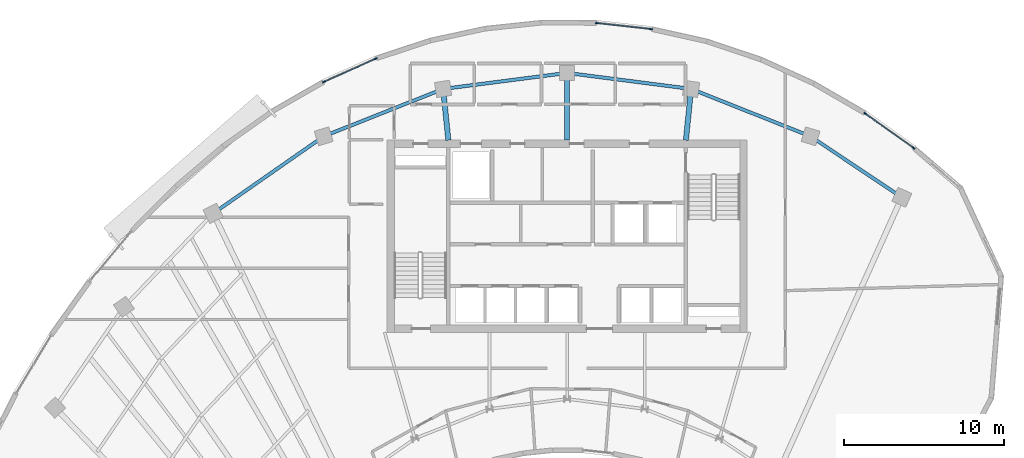
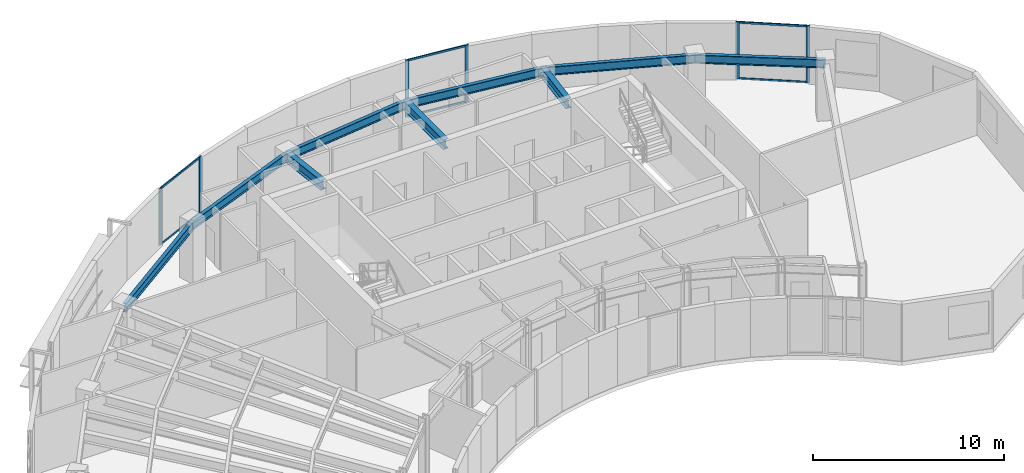
# One storey, part 4 of 12: 12 members, 9 beams, 3 elements without a shape of their own.
"""IFC4 building model written with IfcOpenShell, lengths in metres."""

from ifc_helpers import new_model, si_unit, direction, frame, origin, origin_2d, place, context, subcontext, project, spatial, rectangle, i_section, extrude, source, transform, mapped, material, layer, layer_set, material_profile, profile_set, type_object, element, aggregate, save


model = new_model("IFC4")

# Units and contexts
model_context = context("Model", 3, precision=1e-05, world=origin(), true_north=direction((0.0, 1.0)))
body_context = subcontext(model_context, "Body", "Model", "MODEL_VIEW")
ifc_project = project(units=[si_unit("LENGTHUNIT", "METRE"), si_unit("AREAUNIT", "SQUARE_METRE"), si_unit("VOLUMEUNIT", "CUBIC_METRE"), si_unit("PLANEANGLEUNIT", "RADIAN"), si_unit("MASSUNIT", "GRAM", prefix="KILO")], contexts=[model_context])

# Site, building, storey
site_placement = place(None, origin())
site = spatial("IfcSite", under=ifc_project, at=site_placement, CompositionType="ELEMENT")
building_placement = place(site_placement, origin())
building = spatial("IfcBuilding", under=site, at=building_placement, Name="Breltana Convention Tower", CompositionType="ELEMENT")
storey_placement = place(building_placement, frame((0.0, 0.0, 235.199951171875)))
storey = spatial("IfcBuildingStorey", under=building, at=storey_placement, Name="L57", CompositionType="ELEMENT", Elevation=235.199951171875)

# Beams
ifc_material_1 = material(Name="Steel ASTM A992 Grade 50", Category="steel")
ifc_material_profile_1 = material_profile(ifc_material_1, i_section(OverallWidth=0.326904296875, OverallDepth=0.6220703125, WebThickness=0.015380859375, FlangeThickness=0.0244140625, at=origin_2d()), Name="W24X131")
ifc_profile_set_1 = profile_set([ifc_material_profile_1], Name="Steel ASTM A992 Grade 50")
beam_type_1 = type_object("IfcBeamType", Name="BM-RG-W24X131", PredefinedType="USERDEFINED", material=ifc_profile_set_1)
shared_shape_1 = source(origin(), body_context, "Body", "SweptSolid", [
    extrude(i_section(OverallWidth=0.326904296875, OverallDepth=0.6220703125, WebThickness=0.015380859375, FlangeThickness=0.0244140625, at=origin_2d()), origin(), (0.0, 0.0, 1.0), 3.220947265625),
])
for number, where, z_axis, x_axis, name in (
    (1, (40.580078125, 72.199951171875, 3.339111328125), (-0.101492254858, 0.994836329355, 0.0), (-0.994836329355, -0.101492254858, 0.0), "L57 North Core Radial Girder R05"),
    (2, (55.419921875, 72.199951171875, 3.339111328125), (0.101492254858, 0.994836329355, 0.0), (-0.994836329355, 0.101492254858, 0.0), "L57 North Core Radial Girder R07"),
):
    element("IfcBeam", number, at=place(storey_placement, frame(where, z_axis=z_axis, x_axis=x_axis)), inside=storey, type_object=beam_type_1, Name=name, ObjectType="GIRDER", PredefinedType="USERDEFINED", context=body_context, shape_type="MappedRepresentation", body=[
        mapped(shared_shape_1, transform((0.0, 0.0, 0.0), scale=1.0)),
    ])
shared_shape_2 = source(origin(), body_context, "Body", "SweptSolid", [
    extrude(i_section(OverallWidth=0.326904296875, OverallDepth=0.6220703125, WebThickness=0.015380859375, FlangeThickness=0.0244140625, at=origin_2d()), origin(), (0.0, 0.0, 1.0), 4.2041015625),
])
beam_1_placement = place(storey_placement, frame((48.0, 72.199951171875, 3.339111328125), z_axis=(0.0, 1.0, 0.0), x_axis=(-1.0, 0.0, 0.0)))
element("IfcBeam", 3, at=beam_1_placement, inside=storey, type_object=beam_type_1, Name="L57 North Core Radial Girder R06", ObjectType="GIRDER", PredefinedType="USERDEFINED", context=body_context, shape_type="MappedRepresentation", body=[
    mapped(shared_shape_2, transform((0.0, 0.0, 0.0), scale=1.0)),
])
ifc_material_profile_2 = material_profile(ifc_material_1, i_section(OverallWidth=0.214111328125, OverallDepth=0.549072265625, WebThickness=0.0146484375, FlangeThickness=0.023681640625, at=origin_2d()), Name="W21X93")
ifc_profile_set_2 = profile_set([ifc_material_profile_2], Name="Steel ASTM A992 Grade 50")
beam_type_2 = type_object("IfcBeamType", Name="BM-SP-W21X93", PredefinedType="SPANDREL", material=ifc_profile_set_2)
shared_shape_3 = source(origin(), body_context, "Body", "SweptSolid", [
    extrude(i_section(OverallWidth=0.214111328125, OverallDepth=0.549072265625, WebThickness=0.0146484375, FlangeThickness=0.023681640625, at=origin_2d()), origin(), (0.0, 0.0, 1.0), 8.4169921875),
])
beam_2_placement = place(storey_placement, frame((25.8876953125, 67.626953125, 3.37548828125), z_axis=(0.820173800102, 0.572114444519, 0.0), x_axis=(-0.572114444519, 0.820173800102, 0.0)))
element("IfcBeam", 4, at=beam_2_placement, inside=storey, type_object=beam_type_2, Name="L57 Outer Spandrel Beam 03", PredefinedType="SPANDREL", context=body_context, shape_type="MappedRepresentation", body=[
    mapped(shared_shape_3, transform((0.0, 0.0, 0.0), scale=1.0)),
])
shared_shape_4 = source(origin(), body_context, "Body", "SweptSolid", [
    extrude(i_section(OverallWidth=0.214111328125, OverallDepth=0.549072265625, WebThickness=0.0146484375, FlangeThickness=0.023681640625, at=origin_2d()), origin(), (0.0, 0.0, 1.0), 8.028564453125),
])
for number, where, z_axis, x_axis, name in (
    (5, (32.791015625, 72.4423828125, 3.37548828125), (0.929459100394, 0.368925169507, 0.0), (-0.368925169507, 0.929459100394, 0.0), "L57 Outer Spandrel Beam 04"),
    (6, (55.746826171875, 75.404296875, 3.37548828125), (0.929459100394, -0.368925169507, 0.0), (0.368925169507, 0.929459100394, 0.0), "L57 Outer Spandrel Beam 07"),
):
    element("IfcBeam", number, at=place(storey_placement, frame(where, z_axis=z_axis, x_axis=x_axis)), inside=storey, type_object=beam_type_2, Name=name, PredefinedType="SPANDREL", context=body_context, shape_type="MappedRepresentation", body=[
        mapped(shared_shape_4, transform((0.0, 0.0, 0.0), scale=1.0)),
    ])
shared_shape_5 = source(origin(), body_context, "Body", "SweptSolid", [
    extrude(i_section(OverallWidth=0.214111328125, OverallDepth=0.549072265625, WebThickness=0.0146484375, FlangeThickness=0.023681640625, at=origin_2d()), origin(), (0.0, 0.0, 1.0), 7.81103515625),
])
for number, where, z_axis, x_axis, name in (
    (7, (40.253173828125, 75.404296875, 3.37548828125), (0.991775179127, 0.127992164083, 0.0), (-0.127992164083, 0.991775179127, 0.0), "L57 Outer Spandrel Beam 05"),
    (8, (48.0, 76.404052734375, 3.37548828125), (0.991775179127, -0.127992164083, 0.0), (0.127992164083, 0.991775179127, 0.0), "L57 Outer Spandrel Beam 06"),
):
    element("IfcBeam", number, at=place(storey_placement, frame(where, z_axis=z_axis, x_axis=x_axis)), inside=storey, type_object=beam_type_2, Name=name, PredefinedType="SPANDREL", context=body_context, shape_type="MappedRepresentation", body=[
        mapped(shared_shape_5, transform((0.0, 0.0, 0.0), scale=1.0)),
    ])
shared_shape_6 = source(origin(), body_context, "Body", "SweptSolid", [
    extrude(i_section(OverallWidth=0.214111328125, OverallDepth=0.549072265625, WebThickness=0.0146484375, FlangeThickness=0.023681640625, at=origin_2d()), origin(), (0.0, 0.0, 1.0), 6.856689453125),
])
beam_3_placement = place(storey_placement, frame((63.208984375, 72.4423828125, 3.37548828125), z_axis=(0.83150210718, -0.55552159792, 0.0), x_axis=(0.55552159792, 0.83150210718, 0.0)))
element("IfcBeam", 9, at=beam_3_placement, inside=storey, type_object=beam_type_2, Name="L57 Outer Spandrel Beam 08", PredefinedType="SPANDREL", context=body_context, shape_type="MappedRepresentation", body=[
    mapped(shared_shape_6, transform((0.0, 0.0, 0.0), scale=1.0)),
])

# Curtain wall, members
ifc_material_2 = material(Name="Aluminium Anodised Bronze Frame", Category="aluminium")
ifc_layer = layer(ifc_material_2, 0.219970703125, Name="Aluminium Anodised Bronze Frame")
ifc_layer_set = layer_set([ifc_layer], Name="Aluminium Anodised Bronze Frame")
curtain_wall_type = type_object("IfcCurtainWallType", Name="CW-SYS-4", PredefinedType="NOTDEFINED", material=ifc_layer_set)
curtain_wall_1_placement = place(storey_placement, origin())
curtain_wall_1 = element("IfcCurtainWall", 10, at=curtain_wall_1_placement, inside=storey, type_object=curtain_wall_type, Name="L57 outer double-skin inner glazing 3", PredefinedType="NOTDEFINED")
ifc_material_3 = material(Name="Aluminium Anodised Bronze", Category="aluminium")
ifc_material_profile_3 = material_profile(ifc_material_3, rectangle(XDim=0.080078125, YDim=0.199951171875, at=origin_2d()), Name="CWM-80X200")
ifc_profile_set_3 = profile_set([ifc_material_profile_3], Name="Aluminium Anodised Bronze")
member_type_1 = type_object("IfcMemberType", Name="CWM-200", PredefinedType="MULLION", material=ifc_profile_set_3)
shared_shape_7 = source(origin(), body_context, "Body", "SweptSolid", [
    extrude(rectangle(XDim=0.080078125, YDim=0.199951171875, at=origin_2d()), origin(), (0.0, 0.0, 1.0), 3.650146484375),
])
member_1_placement = place(storey_placement, frame((32.81298828125, 75.845703125, 0.0), z_axis=(0.0, 0.0, 1.0), x_axis=(-0.408605591669, 0.912711055294, 0.0)))
member_1 = element("IfcMember", 11, at=member_1_placement, type_object=member_type_1, Name="CW-04 mullion 1", PredefinedType="MULLION", context=body_context, shape_type="MappedRepresentation", body=[
    mapped(shared_shape_7, transform((0.0, 0.0, 0.0), scale=1.0)),
])
member_2_placement = place(storey_placement, frame((36.040283203125, 77.290283203125, 0.0), z_axis=(0.0, 0.0, 1.0), x_axis=(-0.408605591669, 0.912711055294, 0.0)))
member_2 = element("IfcMember", 12, at=member_2_placement, type_object=member_type_1, Name="CW-04 mullion 2", PredefinedType="MULLION", context=body_context, shape_type="MappedRepresentation", body=[
    mapped(shared_shape_7, transform((0.0, 0.0, 0.0), scale=1.0)),
])

curtain_wall_2_placement = place(storey_placement, origin())
curtain_wall_2 = element("IfcCurtainWall", 13, at=curtain_wall_2_placement, inside=storey, type_object=curtain_wall_type, Name="L57 outer double-skin inner glazing 4", PredefinedType="NOTDEFINED")
member_3_placement = place(storey_placement, frame((49.871826171875, 79.516845703125, 0.0), z_axis=(0.0, 0.0, 1.0), x_axis=(0.111237237409, 0.993793880547, 0.0)))
member_3 = element("IfcMember", 14, at=member_3_placement, type_object=member_type_1, Name="CW-04 mullion 1", PredefinedType="MULLION", context=body_context, shape_type="MappedRepresentation", body=[
    mapped(shared_shape_7, transform((0.0, 0.0, 0.0), scale=1.0)),
])
member_4_placement = place(storey_placement, frame((53.2578125, 79.1376953125, 0.0), z_axis=(0.0, 0.0, 1.0), x_axis=(0.111237237409, 0.993793880547, 0.0)))
member_4 = element("IfcMember", 15, at=member_4_placement, type_object=member_type_1, Name="CW-04 mullion 2", PredefinedType="MULLION", context=body_context, shape_type="MappedRepresentation", body=[
    mapped(shared_shape_7, transform((0.0, 0.0, 0.0), scale=1.0)),
])

curtain_wall_3_placement = place(storey_placement, origin())
curtain_wall_3 = element("IfcCurtainWall", 16, at=curtain_wall_3_placement, inside=storey, type_object=curtain_wall_type, Name="L57 outer double-skin inner glazing 5", PredefinedType="NOTDEFINED")
member_5_placement = place(storey_placement, frame((66.625732421875, 73.865966796875, 0.0), z_axis=(0.0, 0.0, 1.0), x_axis=(0.580661710541, 0.814144936674, 0.0)))
member_5 = element("IfcMember", 17, at=member_5_placement, type_object=member_type_1, Name="CW-04 mullion 1", PredefinedType="MULLION", context=body_context, shape_type="MappedRepresentation", body=[
    mapped(shared_shape_7, transform((0.0, 0.0, 0.0), scale=1.0)),
])
member_6_placement = place(storey_placement, frame((69.634033203125, 71.720458984375, 0.0), z_axis=(0.0, 0.0, 1.0), x_axis=(0.580661710541, 0.814144936674, 0.0)))
member_6 = element("IfcMember", 18, at=member_6_placement, type_object=member_type_1, Name="CW-04 mullion 2", PredefinedType="MULLION", context=body_context, shape_type="MappedRepresentation", body=[
    mapped(shared_shape_7, transform((0.0, 0.0, 0.0), scale=1.0)),
])

# Member
ifc_material_profile_4 = material_profile(ifc_material_3, rectangle(XDim=0.070068359375, YDim=0.1201171875, at=origin_2d()), Name="CWT-70X120")
ifc_profile_set_4 = profile_set([ifc_material_profile_4], Name="Aluminium Anodised Bronze")
member_type_2 = type_object("IfcMemberType", Name="CWT-120", PredefinedType="USERDEFINED", material=ifc_profile_set_4)
shared_shape_8 = source(origin(), body_context, "Body", "SweptSolid", [
    extrude(rectangle(XDim=0.070068359375, YDim=0.1201171875, at=origin_2d()), origin(), (0.0, 0.0, 1.0), 3.45556640625),
])
member_7_placement = place(storey_placement, frame((32.849609375, 75.862060546875, 0.03515625), z_axis=(0.912727440204, 0.408568990378, 0.0), x_axis=(-0.408568990378, 0.912727440204, 0.0)))
member_7 = element("IfcMember", 19, at=member_7_placement, type_object=member_type_2, Name="CW-04 transom 1.1", ObjectType="TRANSOM", PredefinedType="USERDEFINED", context=body_context, shape_type="MappedRepresentation", body=[
    mapped(shared_shape_8, transform((0.0, 0.0, 0.0), scale=1.0)),
])

member_8_placement = place(storey_placement, frame((32.849609375, 75.862060546875, 3.614990234375), z_axis=(0.912727440204, 0.408568990378, 0.0), x_axis=(-0.408568990378, 0.912727440204, 0.0)))
member_8 = element("IfcMember", 20, at=member_8_placement, type_object=member_type_2, Name="CW-04 transom 1.2", ObjectType="TRANSOM", PredefinedType="USERDEFINED", context=body_context, shape_type="MappedRepresentation", body=[
    mapped(shared_shape_8, transform((0.0, 0.0, 0.0), scale=1.0)),
])

aggregate(curtain_wall_1, [member_1, member_2, member_7, member_8])

shared_shape_9 = source(origin(), body_context, "Body", "SweptSolid", [
    extrude(rectangle(XDim=0.070068359375, YDim=0.1201171875, at=origin_2d()), origin(), (0.0, 0.0, 1.0), 3.3271484375),
])
member_9_placement = place(storey_placement, frame((49.91162109375, 79.51220703125, 0.03515625), z_axis=(0.993793018405, -0.111244939519, 0.0), x_axis=(0.111244939519, 0.993793018405, 0.0)))
member_9 = element("IfcMember", 21, at=member_9_placement, type_object=member_type_2, Name="CW-04 transom 1.1", ObjectType="TRANSOM", PredefinedType="USERDEFINED", context=body_context, shape_type="MappedRepresentation", body=[
    mapped(shared_shape_9, transform((0.0, 0.0, 0.0), scale=1.0)),
])

member_10_placement = place(storey_placement, frame((49.91162109375, 79.51220703125, 3.614990234375), z_axis=(0.993793018405, -0.111244939519, 0.0), x_axis=(0.111244939519, 0.993793018405, 0.0)))
member_10 = element("IfcMember", 22, at=member_10_placement, type_object=member_type_2, Name="CW-04 transom 1.2", ObjectType="TRANSOM", PredefinedType="USERDEFINED", context=body_context, shape_type="MappedRepresentation", body=[
    mapped(shared_shape_9, transform((0.0, 0.0, 0.0), scale=1.0)),
])

aggregate(curtain_wall_2, [member_3, member_4, member_9, member_10])

shared_shape_10 = source(origin(), body_context, "Body", "SweptSolid", [
    extrude(rectangle(XDim=0.070068359375, YDim=0.1201171875, at=origin_2d()), origin(), (0.0, 0.0, 1.0), 3.614990234375),
])
member_11_placement = place(storey_placement, frame((66.658203125, 73.8427734375, 0.03515625), z_axis=(0.814139397684, -0.580669476672, 0.0), x_axis=(0.580669476672, 0.814139397684, 0.0)))
member_11 = element("IfcMember", 23, at=member_11_placement, type_object=member_type_2, Name="CW-04 transom 1.1", ObjectType="TRANSOM", PredefinedType="USERDEFINED", context=body_context, shape_type="MappedRepresentation", body=[
    mapped(shared_shape_10, transform((0.0, 0.0, 0.0), scale=1.0)),
])

member_12_placement = place(storey_placement, frame((66.658203125, 73.8427734375, 3.614990234375), z_axis=(0.814139397684, -0.580669476672, 0.0), x_axis=(0.580669476672, 0.814139397684, 0.0)))
member_12 = element("IfcMember", 24, at=member_12_placement, type_object=member_type_2, Name="CW-04 transom 1.2", ObjectType="TRANSOM", PredefinedType="USERDEFINED", context=body_context, shape_type="MappedRepresentation", body=[
    mapped(shared_shape_10, transform((0.0, 0.0, 0.0), scale=1.0)),
])

aggregate(curtain_wall_3, [member_5, member_6, member_11, member_12])

save(model, "model.ifc")
